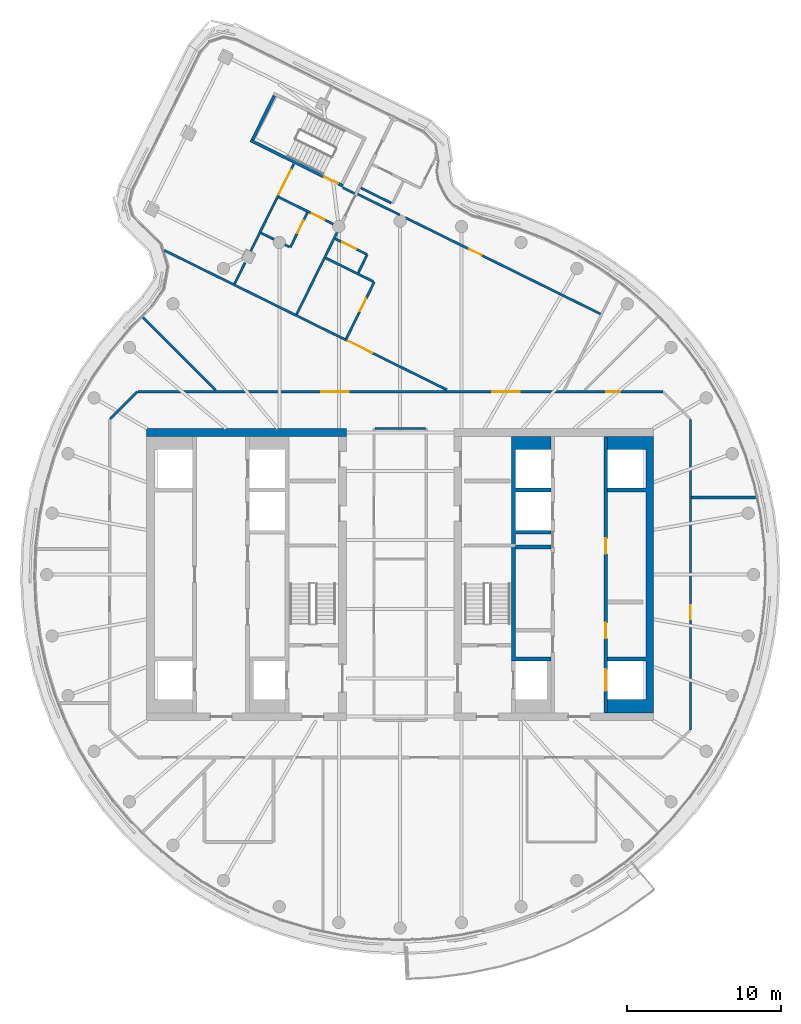
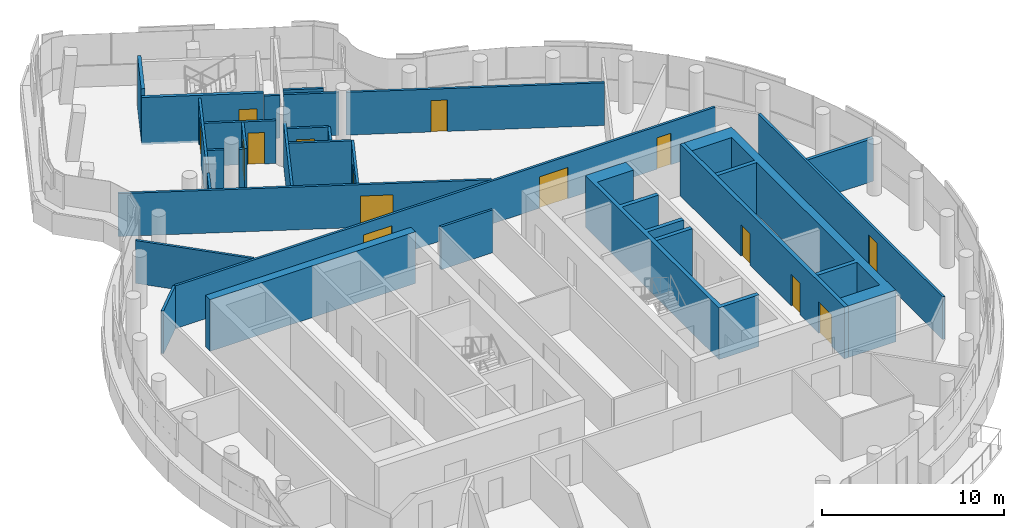
# One storey, part 15 of 21: 29 walls, 15 doors, 15 openings.
"""IFC4 building model written with IfcOpenShell, lengths in metres."""

from ifc_helpers import new_model, si_unit, direction, frame, frame_2d, origin, place, context, subcontext, project, spatial, polyline, rectangle, outline, extrude, material, layer, layer_set, type_object, element, fill, save


model = new_model("IFC4")

# Units and contexts
model_context = context("Model", 3, precision=1e-05, world=origin(), true_north=direction((0.0, 1.0)))
body_context = subcontext(model_context, "Body", "Model", "MODEL_VIEW")
ifc_project = project(units=[si_unit("LENGTHUNIT", "METRE"), si_unit("AREAUNIT", "SQUARE_METRE"), si_unit("VOLUMEUNIT", "CUBIC_METRE"), si_unit("PLANEANGLEUNIT", "RADIAN"), si_unit("MASSUNIT", "GRAM", prefix="KILO")], contexts=[model_context])

# Site, building, storey
site_placement = place(None, origin())
site = spatial("IfcSite", under=ifc_project, at=site_placement, CompositionType="ELEMENT")
building_placement = place(site_placement, origin())
building = spatial("IfcBuilding", under=site, at=building_placement, Name="Tamarind Cross Interchange Tower", CompositionType="ELEMENT")
storey_placement = place(building_placement, frame((0.0, 0.0, 264.0)))
storey = spatial("IfcBuildingStorey", under=building, at=storey_placement, Name="L67", CompositionType="ELEMENT", Elevation=264.0)

# Walls
ifc_material_1 = material(Name="Concrete C50", Category="concrete")
ifc_layer_1 = layer(ifc_material_1, 0.5)
ifc_layer_set_1 = layer_set([ifc_layer_1], Name="Concrete C50")
wall_type_1 = type_object("IfcWallType", Name="Core wall 500 mm Concrete C50", PredefinedType="SHEAR", material=ifc_layer_set_1)
wall_1_placement = place(storey_placement, frame((-16.5, 9.25, 0.0), z_axis=(0.0, 0.0, 1.0), x_axis=(1.0, 0.0, 0.0)))
element("IfcWall", 1, at=wall_1_placement, inside=storey, type_object=wall_type_1, Name="Core wall CWL-L67-W-NE", PredefinedType="SHEAR", context=body_context, shape_type="SweptSolid", body=[
    extrude(rectangle(XDim=13.0, YDim=0.5, at=frame_2d((6.5, 0.0))), origin(), (0.0, 0.0, 1.0), 3.4599609375),
])
wall_2_placement = place(storey_placement, origin())
element("IfcWall", 2, at=wall_2_placement, inside=storey, type_object=wall_type_1, Name="Core wall CWL-L67-E-A", PredefinedType="SHEAR", context=body_context, shape_type="SweptSolid", body=[
    extrude(outline(polyline([(13.5, -8.125), (13.5, -9.0), (16.0, -9.0), (16.5, -9.0), (16.5, 9.0), (16.0, 9.0), (13.5, 9.0), (13.5, 8.125), (16.0, 8.125), (16.0, 5.625), (13.5, 5.625), (13.5, 5.375), (16.0, 5.375), (16.0, -5.375), (13.5, -5.375), (13.5, -5.625), (16.0, -5.625), (16.0, -8.125), (13.5, -8.125)])), origin(), (0.0, 0.0, 1.0), 3.4599609375),
])
ifc_layer_2 = layer(ifc_material_1, 0.25)
ifc_layer_set_2 = layer_set([ifc_layer_2], Name="Concrete C50")
wall_type_2 = type_object("IfcWallType", Name="Core web wall 250 mm Concrete C50", PredefinedType="SHEAR", material=ifc_layer_set_2)
wall_3_placement = place(storey_placement, origin())
element("IfcWall", 3, at=wall_3_placement, inside=storey, type_object=wall_type_2, Name="Core wall CWL-L67-E-BN", PredefinedType="SHEAR", context=body_context, shape_type="SweptSolid", body=[
    extrude(outline(polyline([(9.800048828125, -5.375), (7.5, -5.375), (7.5, 2.625), (9.800048828125, 2.625), (9.800048828125, 2.875), (7.5, 2.875), (7.5, 5.375), (9.800048828125, 5.375), (9.800048828125, 5.625), (7.5, 5.625), (7.5, 8.125), (9.800048828125, 8.125), (9.800048828125, 9.0), (7.5, 9.0), (7.25, 9.0), (7.25, -5.625), (7.5, -5.625), (9.800048828125, -5.625), (9.800048828125, -5.375)])), origin(), (0.0, 0.0, 1.0), 3.4599609375),
])

# Wall, openings, doors
wall_4_placement = place(storey_placement, frame((13.375, -9.0, 0.0), z_axis=(0.0, 0.0, 1.0), x_axis=(0.0, 1.0, 0.0)))
wall_4 = element("IfcWall", 4, at=wall_4_placement, inside=storey, type_object=wall_type_2, Name="Core wall CWL-L67-E-LA", PredefinedType="SHEAR", context=body_context, shape_type="SweptSolid", body=[
    extrude(rectangle(XDim=18.0, YDim=0.25, at=frame_2d((9.0, 0.0))), origin(), (0.0, 0.0, 1.0), 3.4599609375),
])
opening_1_placement = place(wall_4_placement, frame((1.425048828125, 0.0, 0.0)))
opening_1 = element("IfcOpeningElement", 5, at=opening_1_placement, cuts=wall_4, Name="Opening LD13L67", PredefinedType="OPENING", context=body_context, shape_type="SweptSolid", body=[
    extrude(rectangle(XDim=1.39990234375, YDim=2.10009765625, at=frame_2d((0.699951171875, 1.050048828125))), frame((0.0, 0.135009765625, 0.0), z_axis=(0.0, -1.0, 0.0), x_axis=(1.0, 0.0, 0.0)), (0.0, 0.0, 1.0), 0.27001953125),
])
opening_2_placement = place(wall_4_placement, frame((4.85400390625, 0.0, 0.0)))
opening_2 = element("IfcOpeningElement", 6, at=opening_2_placement, cuts=wall_4, Name="Opening DCE9", PredefinedType="OPENING", context=body_context, shape_type="SweptSolid", body=[
    extrude(rectangle(XDim=1.0, YDim=2.10009765625, at=frame_2d((0.5, 1.050048828125))), frame((0.0, 0.135009765625, 0.0), z_axis=(0.0, -1.0, 0.0), x_axis=(1.0, 0.0, 0.0)), (0.0, 0.0, 1.0), 0.27001953125),
])
opening_3_placement = place(wall_4_placement, frame((10.35400390625, 0.0, 0.0)))
opening_3 = element("IfcOpeningElement", 7, at=opening_3_placement, cuts=wall_4, Name="Opening DCE10", PredefinedType="OPENING", context=body_context, shape_type="SweptSolid", body=[
    extrude(rectangle(XDim=1.0, YDim=2.10009765625, at=frame_2d((0.5, 1.050048828125))), frame((0.0, 0.135009765625, 0.0), z_axis=(0.0, -1.0, 0.0), x_axis=(1.0, 0.0, 0.0)), (0.0, 0.0, 1.0), 0.27001953125),
])
ifc_material_2 = material(Name="Steel, fire-resisting", Category="steel")
door_type_1 = type_object("IfcDoorType", Name="Core fire door 1000 x 2100 FD90", OperationType="SINGLE_SWING_LEFT", PredefinedType="DOOR", material=ifc_material_2)
door_1_placement = place(opening_2_placement, origin())
door_1 = element("IfcDoor", 8, at=door_1_placement, inside=storey, type_object=door_type_1, Name="L67 Hotel pantry door", OperationType="SINGLE_SWING_LEFT", OverallHeight=2.10009765625, OverallWidth=1.0, PredefinedType="DOOR", context=body_context, shape_type="SweptSolid", body=[
    extrude(rectangle(XDim=1.0, YDim=2.10009765625, at=frame_2d((0.5, 1.050048828125))), frame((0.0, 0.02490234375, 0.0), z_axis=(0.0, -1.0, 0.0), x_axis=(1.0, 0.0, 0.0)), (0.0, 0.0, 1.0), 0.050048828125),
])
fill(opening_2, door_1)
door_2_placement = place(opening_3_placement, origin())
door_2 = element("IfcDoor", 9, at=door_2_placement, inside=storey, type_object=door_type_1, Name="L67 Staff changing room door", OperationType="SINGLE_SWING_LEFT", OverallHeight=2.10009765625, OverallWidth=1.0, PredefinedType="DOOR", context=body_context, shape_type="SweptSolid", body=[
    extrude(rectangle(XDim=1.0, YDim=2.10009765625, at=frame_2d((0.5, 1.050048828125))), frame((0.0, 0.02490234375, 0.0), z_axis=(0.0, -1.0, 0.0), x_axis=(1.0, 0.0, 0.0)), (0.0, 0.0, 1.0), 0.050048828125),
])
fill(opening_3, door_2)
ifc_material_3 = material(Name="Stainless steel panel", Category="steel")
door_type_2 = type_object("IfcDoorType", Name="Lift landing door 1400 x 2100 E 120", OperationType="SLIDING_TO_LEFT", PredefinedType="DOOR", material=ifc_material_3)
door_3_placement = place(opening_1_placement, origin())
door_3 = element("IfcDoor", 10, at=door_3_placement, inside=storey, type_object=door_type_2, Name="L67 landing door LF13", OperationType="SLIDING_TO_LEFT", OverallHeight=2.10009765625, OverallWidth=1.39990234375, PredefinedType="DOOR", context=body_context, shape_type="SweptSolid", body=[
    extrude(rectangle(XDim=1.39990234375, YDim=2.10009765625, at=frame_2d((0.699951171875, 1.050048828125))), frame((0.0, 0.02490234375, 0.0), z_axis=(0.0, -1.0, 0.0), x_axis=(1.0, 0.0, 0.0)), (0.0, 0.0, 1.0), 0.050048828125),
])
fill(opening_1, door_3)

# Wall
ifc_material_4 = material(Name="Gypsum board partition on steel studs", Category="steel")
ifc_layer_3 = layer(ifc_material_4, 0.14990234375)
ifc_layer_set_3 = layer_set([ifc_layer_3], Name="Gypsum board partition on steel studs")
wall_type_3 = type_object("IfcWallType", Name="Partition 150 mm EI 120", PredefinedType="PARTITIONING", material=ifc_layer_set_3)
wall_5_placement = place(storey_placement, frame((-16.740478515625, 16.740478515625, 0.0), z_axis=(0.0, 0.0, 1.0), x_axis=(0.707106781187, -0.707106781187, 0.0)))
element("IfcWall", 11, at=wall_5_placement, inside=storey, type_object=wall_type_3, Name="Partition L67-002", PredefinedType="PARTITIONING", context=body_context, shape_type="SweptSolid", body=[
    extrude(rectangle(XDim=6.690673828125, YDim=0.14990234375, at=frame_2d((3.34521484375, 0.0))), origin(), (0.0, 0.0, 1.0), 2.864013671875),
])

# Wall, opening, door
wall_6_placement = place(storey_placement, frame((-15.346435546875, 21.0986328125, 0.0), z_axis=(0.0, 0.0, 1.0), x_axis=(0.896736901725, -0.442564039529, 0.0)))
wall_6 = element("IfcWall", 12, at=wall_6_placement, inside=storey, type_object=wall_type_3, Name="Partition L67-005", PredefinedType="PARTITIONING", context=body_context, shape_type="SweptSolid", body=[
    extrude(rectangle(XDim=20.5048828125, YDim=0.14990234375, at=frame_2d((10.25244140625, 0.0))), origin(), (0.0, 0.0, 1.0), 2.864013671875),
])
opening_4_placement = place(wall_6_placement, frame((13.312744140625, 0.0, 0.0)))
opening_4 = element("IfcOpeningElement", 13, at=opening_4_placement, cuts=wall_6, Name="Opening D01", PredefinedType="OPENING", context=body_context, shape_type="SweptSolid", body=[
    extrude(rectangle(XDim=1.800048828125, YDim=2.10009765625, at=frame_2d((0.89990234375, 1.050048828125))), frame((0.0, 0.0849609375, 0.0), z_axis=(0.0, -1.0, 0.0), x_axis=(1.0, 0.0, 0.0)), (0.0, 0.0, 1.0), 0.169921875),
])
ifc_material_5 = material(Name="Fire-resisting door set")
door_type_3 = type_object("IfcDoorType", Name="Interior door 1800 x 2100 FD60S", OperationType="DOUBLE_DOOR_SINGLE_SWING", PredefinedType="DOOR", material=ifc_material_5)
door_4_placement = place(opening_4_placement, origin())
door_4 = element("IfcDoor", 14, at=door_4_placement, inside=storey, type_object=door_type_3, Name="Door D01", OperationType="DOUBLE_DOOR_SINGLE_SWING", OverallHeight=2.10009765625, OverallWidth=1.800048828125, PredefinedType="DOOR", context=body_context, shape_type="SweptSolid", body=[
    extrude(rectangle(XDim=1.800048828125, YDim=2.10009765625, at=frame_2d((0.89990234375, 1.050048828125))), frame((0.0, 0.02490234375, 0.0), z_axis=(0.0, -1.0, 0.0), x_axis=(1.0, 0.0, 0.0)), (0.0, 0.0, 1.0), 0.050048828125),
])
fill(opening_4, door_4)

# Walls
wall_7_placement = place(storey_placement, frame((-9.0576171875, 22.23291015625, 0.0), z_axis=(0.0, 0.0, 1.0), x_axis=(0.896612194763, -0.442816634965, 0.0)))
element("IfcWall", 15, at=wall_7_placement, inside=storey, type_object=wall_type_3, Name="Partition L67-006", PredefinedType="PARTITIONING", context=body_context, shape_type="SweptSolid", body=[
    extrude(rectangle(XDim=0.93408203125, YDim=0.14990234375, at=frame_2d((0.467041015625, 0.0))), origin(), (0.0, 0.0, 1.0), 2.864013671875),
])
wall_8_placement = place(storey_placement, frame((-7.496826171875, 21.462158203125, 0.0), z_axis=(0.0, 0.0, 1.0), x_axis=(0.896780848016, -0.442474983058, 0.0)))
element("IfcWall", 16, at=wall_8_placement, inside=storey, type_object=wall_type_3, Name="Partition L67-007", PredefinedType="PARTITIONING", context=body_context, shape_type="SweptSolid", body=[
    extrude(rectangle(XDim=0.3095703125, YDim=0.14990234375, at=frame_2d((0.15478515625, 0.0))), origin(), (0.0, 0.0, 1.0), 2.864013671875),
])

# Wall, opening, door
wall_9_placement = place(storey_placement, frame((-7.90673828125, 24.563720703125, 0.0), z_axis=(0.0, 0.0, 1.0), x_axis=(0.896882946965, -0.442267995048, 0.0)))
wall_9 = element("IfcWall", 17, at=wall_9_placement, inside=storey, type_object=wall_type_3, Name="Partition L67-008", PredefinedType="PARTITIONING", context=body_context, shape_type="SweptSolid", body=[
    extrude(rectangle(XDim=3.95458984375, YDim=0.14990234375, at=frame_2d((1.977294921875, 0.0))), origin(), (0.0, 0.0, 1.0), 2.864013671875),
])
opening_5_placement = place(wall_9_placement, frame((2.4248046875, 0.0, 0.0)))
opening_5 = element("IfcOpeningElement", 18, at=opening_5_placement, cuts=wall_9, Name="Opening D02", PredefinedType="OPENING", context=body_context, shape_type="SweptSolid", body=[
    extrude(rectangle(XDim=0.89990234375, YDim=2.10009765625, at=frame_2d((0.449951171875, 1.050048828125))), frame((0.0, 0.0849609375, 0.0), z_axis=(0.0, -1.0, 0.0), x_axis=(1.0, 0.0, 0.0)), (0.0, 0.0, 1.0), 0.169921875),
])
door_type_4 = type_object("IfcDoorType", Name="Interior door 900 x 2100 FD60S", OperationType="SINGLE_SWING_LEFT", PredefinedType="DOOR", material=ifc_material_5)
door_5_placement = place(opening_5_placement, frame((0.89990234375, 0.0, 0.0), z_axis=(0.0, 0.0, 1.0), x_axis=(-1.0, 0.0, 0.0)))
door_5 = element("IfcDoor", 19, at=door_5_placement, inside=storey, type_object=door_type_4, Name="Door D02", OperationType="SINGLE_SWING_RIGHT", OverallHeight=2.10009765625, OverallWidth=0.89990234375, PredefinedType="DOOR", context=body_context, shape_type="SweptSolid", body=[
    extrude(rectangle(XDim=0.89990234375, YDim=2.10009765625, at=frame_2d((0.449951171875, 1.050048828125))), frame((0.0, 0.02490234375, 0.0), z_axis=(0.0, -1.0, 0.0), x_axis=(1.0, 0.0, 0.0)), (0.0, 0.0, 1.0), 0.050048828125),
])
fill(opening_5, door_5)

# Wall
wall_10_placement = place(storey_placement, frame((-4.8447265625, 20.599853515625, 0.0), z_axis=(0.0, 0.0, 1.0), x_axis=(0.896750466417, -0.442536553272, 0.0)))
element("IfcWall", 20, at=wall_10_placement, inside=storey, type_object=wall_type_3, Name="Partition L67-009", PredefinedType="PARTITIONING", context=body_context, shape_type="SweptSolid", body=[
    extrude(rectangle(XDim=3.44970703125, YDim=0.14990234375, at=frame_2d((1.724853515625, 0.0))), origin(), (0.0, 0.0, 1.0), 2.864013671875),
])

# Wall, opening, door
wall_11_placement = place(storey_placement, frame((-4.22119140625, 21.8525390625, 0.0), z_axis=(0.0, 0.0, 1.0), x_axis=(0.896771622249, -0.442493680778, 0.0)))
wall_11 = element("IfcWall", 21, at=wall_11_placement, inside=storey, type_object=wall_type_3, Name="Partition L67-010", PredefinedType="PARTITIONING", context=body_context, shape_type="SweptSolid", body=[
    extrude(rectangle(XDim=2.299560546875, YDim=0.14990234375, at=frame_2d((1.14990234375, 0.0))), origin(), (0.0, 0.0, 1.0), 2.864013671875),
])
opening_6_placement = place(wall_11_placement, frame((0.52001953125, 0.0, 0.0)))
opening_6 = element("IfcOpeningElement", 22, at=opening_6_placement, cuts=wall_11, Name="Opening D03", PredefinedType="OPENING", context=body_context, shape_type="SweptSolid", body=[
    extrude(rectangle(XDim=1.0, YDim=2.10009765625, at=frame_2d((0.5, 1.050048828125))), frame((0.0, 0.0849609375, 0.0), z_axis=(0.0, -1.0, 0.0), x_axis=(1.0, 0.0, 0.0)), (0.0, 0.0, 1.0), 0.169921875),
])
door_type_5 = type_object("IfcDoorType", Name="Interior door 1000 x 2100 FD60S", OperationType="SINGLE_SWING_LEFT", PredefinedType="DOOR", material=ifc_material_5)
door_6_placement = place(opening_6_placement, frame((1.0, 0.0, 0.0), z_axis=(0.0, 0.0, 1.0), x_axis=(-1.0, 0.0, 0.0)))
door_6 = element("IfcDoor", 23, at=door_6_placement, inside=storey, type_object=door_type_5, Name="Door D03", OperationType="SINGLE_SWING_LEFT", OverallHeight=2.10009765625, OverallWidth=1.0, PredefinedType="DOOR", context=body_context, shape_type="SweptSolid", body=[
    extrude(rectangle(XDim=1.0, YDim=2.10009765625, at=frame_2d((0.5, 1.050048828125))), frame((0.0, 0.02490234375, 0.0), z_axis=(0.0, -1.0, 0.0), x_axis=(1.0, 0.0, 0.0)), (0.0, 0.0, 1.0), 0.050048828125),
])
fill(opening_6, door_6)

# Walls
wall_12_placement = place(storey_placement, frame((-3.73779296875, 25.1826171875, 0.0), z_axis=(0.0, 0.0, 1.0), x_axis=(0.896799875453, -0.442436417339, 0.0)))
element("IfcWall", 24, at=wall_12_placement, inside=storey, type_object=wall_type_3, Name="Partition L67-011", PredefinedType="PARTITIONING", context=body_context, shape_type="SweptSolid", body=[
    extrude(rectangle(XDim=0.859619140625, YDim=0.14990234375, at=frame_2d((0.4296875, 0.0))), origin(), (0.0, 0.0, 1.0), 2.864013671875),
])
wall_13_placement = place(storey_placement, frame((-2.764404296875, 24.7587890625, 0.0), z_axis=(0.0, 0.0, 1.0), x_axis=(0.896729050062, -0.442579948456, 0.0)))
element("IfcWall", 25, at=wall_13_placement, inside=storey, type_object=wall_type_3, Name="Partition L67-012", PredefinedType="PARTITIONING", context=body_context, shape_type="SweptSolid", body=[
    extrude(rectangle(XDim=3.059814453125, YDim=0.14990234375, at=frame_2d((1.52978515625, 0.0))), origin(), (0.0, 0.0, 1.0), 2.864013671875),
])

# Wall, opening, door
wall_14_placement = place(storey_placement, frame((0.3271484375, 23.23291015625, 0.0), z_axis=(0.0, 0.0, 1.0), x_axis=(0.896732994019, -0.442571957355, 0.0)))
wall_14 = element("IfcWall", 26, at=wall_14_placement, inside=storey, type_object=wall_type_3, Name="Partition L67-013", PredefinedType="PARTITIONING", context=body_context, shape_type="SweptSolid", body=[
    extrude(rectangle(XDim=14.177734375, YDim=0.14990234375, at=frame_2d((7.0888671875, 0.0))), origin(), (0.0, 0.0, 1.0), 2.864013671875),
])
opening_7_placement = place(wall_14_placement, frame((4.64990234375, 0.0, 0.0)))
opening_7 = element("IfcOpeningElement", 27, at=opening_7_placement, cuts=wall_14, Name="Opening D04", PredefinedType="OPENING", context=body_context, shape_type="SweptSolid", body=[
    extrude(rectangle(XDim=0.89990234375, YDim=2.10009765625, at=frame_2d((0.449951171875, 1.050048828125))), frame((0.0, 0.0849609375, 0.0), z_axis=(0.0, -1.0, 0.0), x_axis=(1.0, 0.0, 0.0)), (0.0, 0.0, 1.0), 0.169921875),
])
door_7_placement = place(opening_7_placement, origin())
door_7 = element("IfcDoor", 28, at=door_7_placement, inside=storey, type_object=door_type_4, Name="Door D04", OperationType="SINGLE_SWING_RIGHT", OverallHeight=2.10009765625, OverallWidth=0.89990234375, PredefinedType="DOOR", context=body_context, shape_type="SweptSolid", body=[
    extrude(rectangle(XDim=0.89990234375, YDim=2.10009765625, at=frame_2d((0.449951171875, 1.050048828125))), frame((0.0, 0.02490234375, 0.0), z_axis=(0.0, -1.0, 0.0), x_axis=(1.0, 0.0, 0.0)), (0.0, 0.0, 1.0), 0.050048828125),
])
fill(opening_7, door_7)

# Wall
wall_15_placement = place(storey_placement, frame((-2.565185546875, 25.16162109375, 0.0), z_axis=(0.0, 0.0, 1.0), x_axis=(0.896768640795, -0.442499723037, 0.0)))
element("IfcWall", 29, at=wall_15_placement, inside=storey, type_object=wall_type_3, Name="Partition L67-014", PredefinedType="PARTITIONING", context=body_context, shape_type="SweptSolid", body=[
    extrude(rectangle(XDim=2.2197265625, YDim=0.14990234375, at=frame_2d((1.10986328125, 0.0))), origin(), (0.0, 0.0, 1.0), 2.864013671875),
])

# Wall, openings, doors
wall_16_placement = place(storey_placement, frame((-17.06494140625, 11.89990234375, 0.0), z_axis=(0.0, 0.0, 1.0), x_axis=(1.0, 0.0, 0.0)))
wall_16 = element("IfcWall", 30, at=wall_16_placement, inside=storey, type_object=wall_type_3, Name="Partition L67-019", PredefinedType="PARTITIONING", context=body_context, shape_type="SweptSolid", body=[
    extrude(rectangle(XDim=34.1650390625, YDim=0.14990234375, at=frame_2d((17.08251953125, 0.0))), origin(), (0.0, 0.0, 1.0), 2.864013671875),
])
opening_8_placement = place(wall_16_placement, frame((23.056884765625, 0.0, 0.0)))
opening_8 = element("IfcOpeningElement", 31, at=opening_8_placement, cuts=wall_16, Name="Opening D11", PredefinedType="OPENING", context=body_context, shape_type="SweptSolid", body=[
    extrude(rectangle(XDim=1.800048828125, YDim=2.10009765625, at=frame_2d((0.89990234375, 1.050048828125))), frame((0.0, 0.0849609375, 0.0), z_axis=(0.0, -1.0, 0.0), x_axis=(1.0, 0.0, 0.0)), (0.0, 0.0, 1.0), 0.169921875),
])
opening_9_placement = place(wall_16_placement, frame((30.465087890625, 0.0, 0.0)))
opening_9 = element("IfcOpeningElement", 32, at=opening_9_placement, cuts=wall_16, Name="Opening D12", PredefinedType="OPENING", context=body_context, shape_type="SweptSolid", body=[
    extrude(rectangle(XDim=0.89990234375, YDim=2.10009765625, at=frame_2d((0.449951171875, 1.050048828125))), frame((0.0, 0.0849609375, 0.0), z_axis=(0.0, -1.0, 0.0), x_axis=(1.0, 0.0, 0.0)), (0.0, 0.0, 1.0), 0.169921875),
])
opening_10_placement = place(wall_16_placement, frame((11.9150390625, 0.0, 0.0)))
opening_10 = element("IfcOpeningElement", 33, at=opening_10_placement, cuts=wall_16, Name="Opening D13", PredefinedType="OPENING", context=body_context, shape_type="SweptSolid", body=[
    extrude(rectangle(XDim=1.800048828125, YDim=2.10009765625, at=frame_2d((0.89990234375, 1.050048828125))), frame((0.0, 0.0849609375, 0.0), z_axis=(0.0, -1.0, 0.0), x_axis=(1.0, 0.0, 0.0)), (0.0, 0.0, 1.0), 0.169921875),
])
door_8_placement = place(opening_8_placement, frame((1.800048828125, 0.0, 0.0), z_axis=(0.0, 0.0, 1.0), x_axis=(-1.0, 0.0, 0.0)))
door_8 = element("IfcDoor", 34, at=door_8_placement, inside=storey, type_object=door_type_3, Name="Door D11", OperationType="DOUBLE_DOOR_SINGLE_SWING", OverallHeight=2.10009765625, OverallWidth=1.800048828125, PredefinedType="DOOR", context=body_context, shape_type="SweptSolid", body=[
    extrude(rectangle(XDim=1.800048828125, YDim=2.10009765625, at=frame_2d((0.89990234375, 1.050048828125))), frame((0.0, 0.02490234375, 0.0), z_axis=(0.0, -1.0, 0.0), x_axis=(1.0, 0.0, 0.0)), (0.0, 0.0, 1.0), 0.050048828125),
])
fill(opening_8, door_8)
door_9_placement = place(opening_10_placement, frame((1.800048828125, 0.0, 0.0), z_axis=(0.0, 0.0, 1.0), x_axis=(-1.0, 0.0, 0.0)))
door_9 = element("IfcDoor", 35, at=door_9_placement, inside=storey, type_object=door_type_3, Name="Door D13", OperationType="DOUBLE_DOOR_SINGLE_SWING", OverallHeight=2.10009765625, OverallWidth=1.800048828125, PredefinedType="DOOR", context=body_context, shape_type="SweptSolid", body=[
    extrude(rectangle(XDim=1.800048828125, YDim=2.10009765625, at=frame_2d((0.89990234375, 1.050048828125))), frame((0.0, 0.02490234375, 0.0), z_axis=(0.0, -1.0, 0.0), x_axis=(1.0, 0.0, 0.0)), (0.0, 0.0, 1.0), 0.050048828125),
])
fill(opening_10, door_9)
door_10_placement = place(opening_9_placement, origin())
door_10 = element("IfcDoor", 36, at=door_10_placement, inside=storey, type_object=door_type_4, Name="Door D12", OperationType="SINGLE_SWING_LEFT", OverallHeight=2.10009765625, OverallWidth=0.89990234375, PredefinedType="DOOR", context=body_context, shape_type="SweptSolid", body=[
    extrude(rectangle(XDim=0.89990234375, YDim=2.10009765625, at=frame_2d((0.449951171875, 1.050048828125))), frame((0.0, 0.02490234375, 0.0), z_axis=(0.0, -1.0, 0.0), x_axis=(1.0, 0.0, 0.0)), (0.0, 0.0, 1.0), 0.050048828125),
])
fill(opening_9, door_10)

# Walls
wall_17_placement = place(storey_placement, frame((-1.639892578125, 9.5, 0.0), z_axis=(0.0, 0.0, 1.0), x_axis=(1.0, 0.0, 0.0)))
element("IfcWall", 37, at=wall_17_placement, inside=storey, type_object=wall_type_3, Name="Partition L67-024", PredefinedType="PARTITIONING", context=body_context, shape_type="SweptSolid", body=[
    extrude(rectangle(XDim=3.27978515625, YDim=0.14990234375, at=frame_2d((1.639892578125, 0.0))), origin(), (0.0, 0.0, 1.0), 2.864013671875),
])
wall_18_placement = place(storey_placement, frame((-18.87158203125, 10.12841796875, 0.0), z_axis=(0.0, 0.0, 1.0), x_axis=(0.707106781187, 0.707106781187, 0.0)))
element("IfcWall", 38, at=wall_18_placement, inside=storey, type_object=wall_type_3, Name="Partition L67-026", PredefinedType="PARTITIONING", context=body_context, shape_type="SweptSolid", body=[
    extrude(rectangle(XDim=2.50537109375, YDim=0.14990234375, at=frame_2d((1.252685546875, 0.0))), origin(), (0.0, 0.0, 1.0), 2.864013671875),
])
wall_19_placement = place(storey_placement, frame((-10.772705078125, 18.92529296875, 0.0), z_axis=(0.0, 0.0, 1.0), x_axis=(0.44235057228, 0.896842222023, 0.0)))
element("IfcWall", 39, at=wall_19_placement, inside=storey, type_object=wall_type_3, Name="Partition L67-030", PredefinedType="PARTITIONING", context=body_context, shape_type="SweptSolid", body=[
    extrude(rectangle(XDim=1.5283203125, YDim=0.14990234375, at=frame_2d((0.76416015625, 0.0))), origin(), (0.0, 0.0, 1.0), 2.864013671875),
])

# Wall, opening, door
wall_20_placement = place(storey_placement, frame((-9.7275390625, 21.04443359375, 0.0), z_axis=(0.0, 0.0, 1.0), x_axis=(0.442372056377, 0.896831625076, 0.0)))
wall_20 = element("IfcWall", 40, at=wall_20_placement, inside=storey, type_object=wall_type_3, Name="Partition L67-031", PredefinedType="PARTITIONING", context=body_context, shape_type="SweptSolid", body=[
    extrude(rectangle(XDim=6.32177734375, YDim=0.14990234375, at=frame_2d((3.160888671875, 0.0))), origin(), (0.0, 0.0, 1.0), 2.864013671875),
])
opening_11_placement = place(wall_20_placement, frame((4.11181640625, 0.0, 0.0)))
opening_11 = element("IfcOpeningElement", 41, at=opening_11_placement, cuts=wall_20, Name="Opening D14", PredefinedType="OPENING", context=body_context, shape_type="SweptSolid", body=[
    extrude(rectangle(XDim=1.800048828125, YDim=2.10009765625, at=frame_2d((0.89990234375, 1.050048828125))), frame((0.0, 0.0849609375, 0.0), z_axis=(0.0, -1.0, 0.0), x_axis=(1.0, 0.0, 0.0)), (0.0, 0.0, 1.0), 0.169921875),
])
door_11_placement = place(opening_11_placement, origin())
door_11 = element("IfcDoor", 42, at=door_11_placement, inside=storey, type_object=door_type_3, Name="Door D14", OperationType="DOUBLE_DOOR_SINGLE_SWING", OverallHeight=2.10009765625, OverallWidth=1.800048828125, PredefinedType="DOOR", context=body_context, shape_type="SweptSolid", body=[
    extrude(rectangle(XDim=1.800048828125, YDim=2.10009765625, at=frame_2d((0.89990234375, 1.050048828125))), frame((0.0, 0.02490234375, 0.0), z_axis=(0.0, -1.0, 0.0), x_axis=(1.0, 0.0, 0.0)), (0.0, 0.0, 1.0), 0.050048828125),
])
fill(opening_11, door_11)

wall_21_placement = place(storey_placement, frame((-7.152099609375, 21.2919921875, 0.0), z_axis=(0.0, 0.0, 1.0), x_axis=(0.442645023645, 0.896696929315, 0.0)))
wall_21 = element("IfcWall", 43, at=wall_21_placement, inside=storey, type_object=wall_type_3, Name="Partition L67-033", PredefinedType="PARTITIONING", context=body_context, shape_type="SweptSolid", body=[
    extrude(rectangle(XDim=2.525634765625, YDim=0.14990234375, at=frame_2d((1.2626953125, 0.0))), origin(), (0.0, 0.0, 1.0), 2.864013671875),
])
opening_12_placement = place(wall_21_placement, frame((1.050048828125, 0.0, 0.0)))
opening_12 = element("IfcOpeningElement", 44, at=opening_12_placement, cuts=wall_21, Name="Opening D15", PredefinedType="OPENING", context=body_context, shape_type="SweptSolid", body=[
    extrude(rectangle(XDim=0.89990234375, YDim=2.10009765625, at=frame_2d((0.449951171875, 1.050048828125))), frame((0.0, 0.0849609375, 0.0), z_axis=(0.0, -1.0, 0.0), x_axis=(1.0, 0.0, 0.0)), (0.0, 0.0, 1.0), 0.169921875),
])
door_12_placement = place(opening_12_placement, origin())
door_12 = element("IfcDoor", 45, at=door_12_placement, inside=storey, type_object=door_type_4, Name="Door D15", OperationType="SINGLE_SWING_LEFT", OverallHeight=2.10009765625, OverallWidth=0.89990234375, PredefinedType="DOOR", context=body_context, shape_type="SweptSolid", body=[
    extrude(rectangle(XDim=0.89990234375, YDim=2.10009765625, at=frame_2d((0.449951171875, 1.050048828125))), frame((0.0, 0.02490234375, 0.0), z_axis=(0.0, -1.0, 0.0), x_axis=(1.0, 0.0, 0.0)), (0.0, 0.0, 1.0), 0.050048828125),
])
fill(opening_12, door_12)

# Wall
wall_22_placement = place(storey_placement, frame((-6.735595703125, 16.937744140625, 0.0), z_axis=(0.0, 0.0, 1.0), x_axis=(0.442543279476, 0.896747147077, 0.0)))
element("IfcWall", 46, at=wall_22_placement, inside=storey, type_object=wall_type_3, Name="Partition L67-034", PredefinedType="PARTITIONING", context=body_context, shape_type="SweptSolid", body=[
    extrude(rectangle(XDim=6.11376953125, YDim=0.14990234375, at=frame_2d((3.056884765625, 0.0))), origin(), (0.0, 0.0, 1.0), 2.864013671875),
])

# Wall, opening, door
wall_23_placement = place(storey_placement, frame((-3.507568359375, 15.3447265625, 0.0), z_axis=(0.0, 0.0, 1.0), x_axis=(0.442515086805, 0.896761059564, 0.0)))
wall_23 = element("IfcWall", 47, at=wall_23_placement, inside=storey, type_object=wall_type_3, Name="Partition L67-036", PredefinedType="PARTITIONING", context=body_context, shape_type="SweptSolid", body=[
    extrude(rectangle(XDim=4.120849609375, YDim=0.14990234375, at=frame_2d((2.060546875, 0.0))), origin(), (0.0, 0.0, 1.0), 2.864013671875),
])
opening_13_placement = place(wall_23_placement, frame((2.02001953125, 0.0, 0.0)))
opening_13 = element("IfcOpeningElement", 48, at=opening_13_placement, cuts=wall_23, Name="Opening D18", PredefinedType="OPENING", context=body_context, shape_type="SweptSolid", body=[
    extrude(rectangle(XDim=0.89990234375, YDim=2.10009765625, at=frame_2d((0.449951171875, 1.050048828125))), frame((0.0, 0.0849609375, 0.0), z_axis=(0.0, -1.0, 0.0), x_axis=(1.0, 0.0, 0.0)), (0.0, 0.0, 1.0), 0.169921875),
])
door_13_placement = place(opening_13_placement, origin())
door_13 = element("IfcDoor", 49, at=door_13_placement, inside=storey, type_object=door_type_4, Name="Door D18", OperationType="SINGLE_SWING_LEFT", OverallHeight=2.10009765625, OverallWidth=0.89990234375, PredefinedType="DOOR", context=body_context, shape_type="SweptSolid", body=[
    extrude(rectangle(XDim=0.89990234375, YDim=2.10009765625, at=frame_2d((0.449951171875, 1.050048828125))), frame((0.0, 0.02490234375, 0.0), z_axis=(0.0, -1.0, 0.0), x_axis=(1.0, 0.0, 0.0)), (0.0, 0.0, 1.0), 0.050048828125),
])
fill(opening_13, door_13)

# Wall
wall_24_placement = place(storey_placement, frame((-2.726806640625, 19.63818359375, 0.0), z_axis=(0.0, 0.0, 1.0), x_axis=(0.442266076038, 0.896883893258, 0.0)))
element("IfcWall", 50, at=wall_24_placement, inside=storey, type_object=wall_type_3, Name="Partition L67-038", PredefinedType="PARTITIONING", context=body_context, shape_type="SweptSolid", body=[
    extrude(rectangle(XDim=1.32421875, YDim=0.14990234375, at=frame_2d((0.662109375, 0.0))), origin(), (0.0, 0.0, 1.0), 2.864013671875),
])

# Wall, opening, door
wall_25_placement = place(storey_placement, frame((18.89990234375, -10.10009765625, 0.0), z_axis=(0.0, 0.0, 1.0), x_axis=(0.0, 1.0, 0.0)))
wall_25 = element("IfcWall", 51, at=wall_25_placement, inside=storey, type_object=wall_type_3, Name="Partition L67-049", PredefinedType="PARTITIONING", context=body_context, shape_type="SweptSolid", body=[
    extrude(rectangle(XDim=20.2001953125, YDim=0.14990234375, at=frame_2d((10.10009765625, 0.0))), origin(), (0.0, 0.0, 1.0), 2.864013671875),
])
opening_14_placement = place(wall_25_placement, frame((7.199951171875, 0.0, 0.0)))
opening_14 = element("IfcOpeningElement", 52, at=opening_14_placement, cuts=wall_25, Name="Opening D24", PredefinedType="OPENING", context=body_context, shape_type="SweptSolid", body=[
    extrude(rectangle(XDim=0.89990234375, YDim=2.10009765625, at=frame_2d((0.449951171875, 1.050048828125))), frame((0.0, 0.0849609375, 0.0), z_axis=(0.0, -1.0, 0.0), x_axis=(1.0, 0.0, 0.0)), (0.0, 0.0, 1.0), 0.169921875),
])
door_14_placement = place(opening_14_placement, frame((0.89990234375, 0.0, 0.0), z_axis=(0.0, 0.0, 1.0), x_axis=(-1.0, 0.0, 0.0)))
door_14 = element("IfcDoor", 53, at=door_14_placement, inside=storey, type_object=door_type_4, Name="Door D24", OperationType="SINGLE_SWING_LEFT", OverallHeight=2.10009765625, OverallWidth=0.89990234375, PredefinedType="DOOR", context=body_context, shape_type="SweptSolid", body=[
    extrude(rectangle(XDim=0.89990234375, YDim=2.10009765625, at=frame_2d((0.449951171875, 1.050048828125))), frame((0.0, 0.02490234375, 0.0), z_axis=(0.0, -1.0, 0.0), x_axis=(1.0, 0.0, 0.0)), (0.0, 0.0, 1.0), 0.050048828125),
])
fill(opening_14, door_14)

# Walls
ifc_layer_4 = layer(ifc_material_4, 0.199951171875)
ifc_layer_set_4 = layer_set([ifc_layer_4], Name="Gypsum board partition on steel studs")
wall_type_4 = type_object("IfcWallType", Name="Partition 200 mm EI 180", PredefinedType="PARTITIONING", material=ifc_layer_set_4)
wall_26_placement = place(storey_placement, frame((18.955078125, 5.02197265625, 0.0), z_axis=(0.0, 0.0, 1.0), x_axis=(1.0, 0.0, 0.0)))
element("IfcWall", 54, at=wall_26_placement, inside=storey, type_object=wall_type_4, Name="Partition L67-025", PredefinedType="PARTITIONING", context=body_context, shape_type="SweptSolid", body=[
    extrude(rectangle(XDim=4.1806640625, YDim=0.199951171875, at=frame_2d((2.09033203125, 0.0))), origin(), (0.0, 0.0, 1.0), 2.864013671875),
])
ifc_material_6 = material(Name="Concrete C40", Category="concrete")
ifc_layer_5 = layer(ifc_material_6, 0.25)
ifc_layer_set_5 = layer_set([ifc_layer_5], Name="Concrete C40")
wall_type_5 = type_object("IfcWallType", Name="Shaft and lobby wall 250 mm Concrete C40", PredefinedType="PARTITIONING", material=ifc_layer_set_5)
wall_27_placement = place(storey_placement, frame((9.800048828125, 1.7919921875, 0.0), z_axis=(0.0, 0.0, 1.0), x_axis=(-1.0, 0.0, 0.0)))
element("IfcWall", 55, at=wall_27_placement, inside=storey, type_object=wall_type_5, Name="Shaft wall CWL-L67-E-FPB3", PredefinedType="PARTITIONING", context=body_context, shape_type="SweptSolid", body=[
    extrude(rectangle(XDim=2.300048828125, YDim=0.25, at=frame_2d((1.14990234375, 0.0))), origin(), (0.0, 0.0, 1.0), 3.4599609375),
])

# Wall, opening, door
ifc_layer_6 = layer(ifc_material_6, 0.199951171875)
ifc_layer_set_6 = layer_set([ifc_layer_6], Name="Concrete C40")
wall_type_6 = type_object("IfcWallType", Name="Stair shaft wall 200 mm Concrete C40", PredefinedType="SHEAR", material=ifc_layer_set_6)
wall_28_placement = place(storey_placement, frame((-3.72900390625, 25.2900390625, -0.139892578125), z_axis=(0.0, 0.0, 1.0), x_axis=(-0.896747082682, 0.442543409962, 0.0)))
wall_28 = element("IfcWall", 56, at=wall_28_placement, inside=storey, type_object=wall_type_6, Name="Core wall CWL-L67-ST4-H", PredefinedType="SHEAR", context=body_context, shape_type="SweptSolid", body=[
    extrude(rectangle(XDim=6.7001953125, YDim=0.199951171875, at=frame_2d((3.35009765625, 0.0))), origin(), (0.0, 0.0, 1.0), 3.15380859375),
])
opening_15_placement = place(wall_28_placement, frame((0.35009765625, 0.0, 0.0)))
opening_15 = element("IfcOpeningElement", 57, at=opening_15_placement, cuts=wall_28, Name="Opening ST4L67", PredefinedType="OPENING", context=body_context, shape_type="SweptSolid", body=[
    extrude(rectangle(XDim=1.0, YDim=2.10009765625, at=frame_2d((0.5, 1.050048828125))), frame((0.0, 0.10986328125, 0.0), z_axis=(0.0, -1.0, 0.0), x_axis=(1.0, 0.0, 0.0)), (0.0, 0.0, 1.0), 0.219970703125),
])
door_15_placement = place(opening_15_placement, origin())
door_15 = element("IfcDoor", 58, at=door_15_placement, inside=storey, type_object=door_type_1, Name="L67 stair door ST4", OperationType="SINGLE_SWING_LEFT", OverallHeight=2.10009765625, OverallWidth=1.0, PredefinedType="DOOR", context=body_context, shape_type="SweptSolid", body=[
    extrude(rectangle(XDim=1.0, YDim=2.10009765625, at=frame_2d((0.5, 1.050048828125))), frame((0.0, 0.02490234375, 0.0), z_axis=(0.0, -1.0, 0.0), x_axis=(1.0, 0.0, 0.0)), (0.0, 0.0, 1.0), 0.050048828125),
])
fill(opening_15, door_15)

# Wall
wall_29_placement = place(storey_placement, frame((0.0, 0.0, -0.139892578125)))
element("IfcWall", 59, at=wall_29_placement, inside=storey, type_object=wall_type_6, Name="Core wall CWL-L67-ST4-CF", PredefinedType="SHEAR", context=body_context, shape_type="SweptSolid", body=[
    extrude(outline(polyline([(-8.097412109375, 31.1259765625), (-8.276611328125, 31.21435546875), (-9.69287109375, 28.344970703125), (-9.513671875, 28.25634765625), (-8.097412109375, 31.1259765625)])), origin(), (0.0, 0.0, 1.0), 3.599853515625),
])

save(model, "model.ifc")
